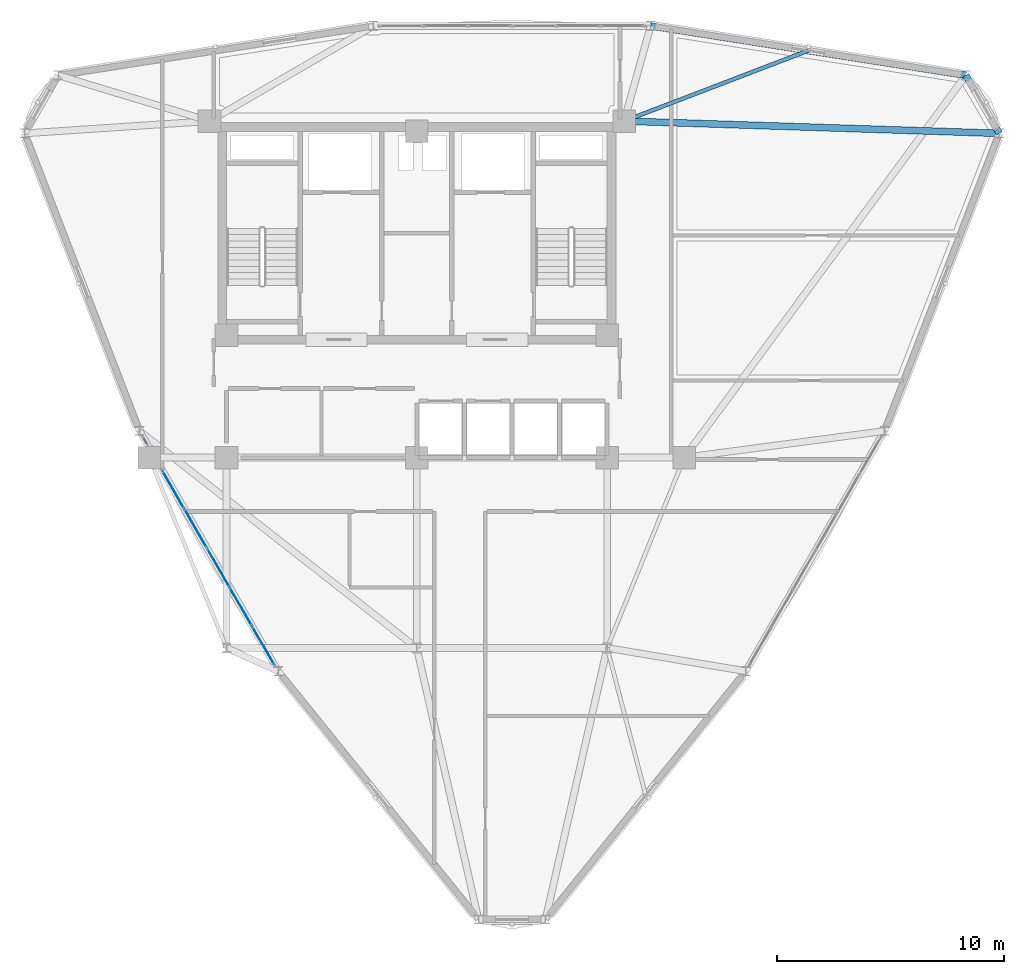
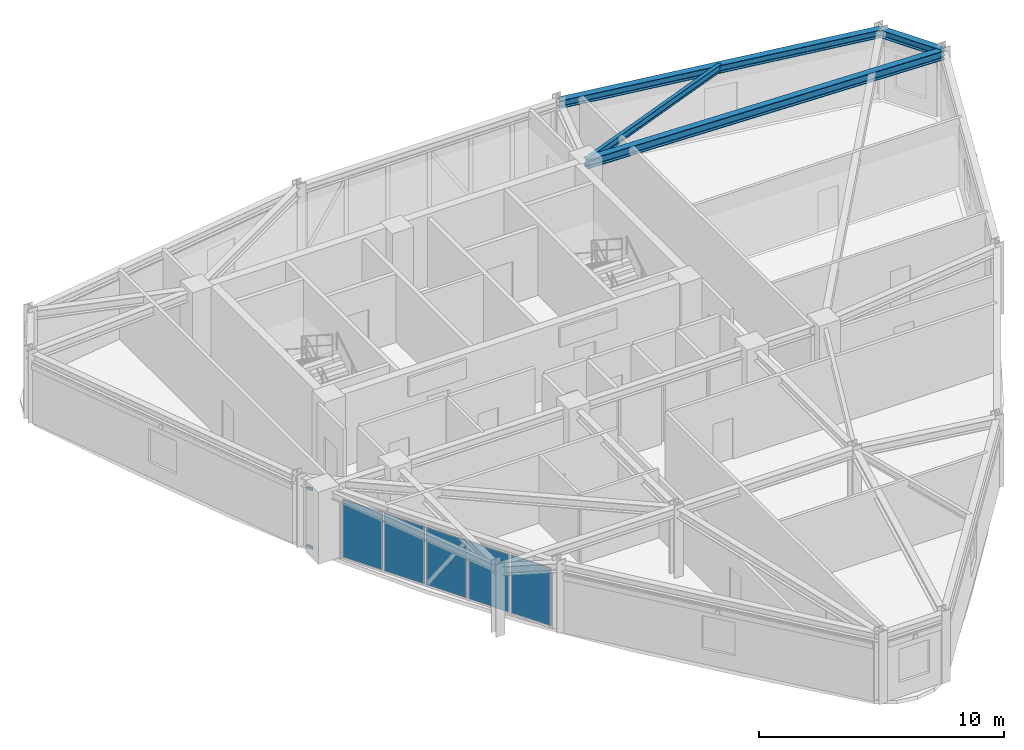
# One storey, part 10 of 16: 5 plates, 4 beams, 2 members, 2 elements without a shape of their own.
"""IFC4 building model written with IfcOpenShell, lengths in metres."""

from ifc_helpers import new_model, si_unit, derived_unit, direction, frame, origin, origin_2d, place, context, subcontext, project, spatial, rectangle, hollow_rectangle, i_section, extrude, source, transform, mapped, material, layer, layer_set, material_profile, profile_set, type_object, element, aggregate, save


model = new_model("IFC4")

# Units and contexts
model_context = context("Model", 3, precision=1e-05, world=origin(), true_north=direction((0.0, 1.0)))
body_context = subcontext(model_context, "Body", "Model", "MODEL_VIEW")
ifc_project = project(units=[si_unit("LENGTHUNIT", "METRE"), si_unit("AREAUNIT", "SQUARE_METRE"), si_unit("VOLUMEUNIT", "CUBIC_METRE"), si_unit("PLANEANGLEUNIT", "RADIAN"), si_unit("MASSUNIT", "GRAM", prefix="KILO"), derived_unit("THERMALTRANSMITTANCEUNIT", [(si_unit("POWERUNIT", "WATT"), 1), (si_unit("LENGTHUNIT", "METRE"), -2), (si_unit("THERMODYNAMICTEMPERATUREUNIT", "KELVIN"), -1)])], contexts=[model_context])

# Site, building, storey
site_placement = place(None, origin())
site = spatial("IfcSite", under=ifc_project, at=site_placement, CompositionType="ELEMENT")
building_placement = place(site_placement, origin())
building = spatial("IfcBuilding", under=site, at=building_placement, Name="Korsvarv Bourse and Concert Hall", CompositionType="ELEMENT")
storey_placement = place(building_placement, frame((0.0, 0.0, 216.60009765625)))
storey = spatial("IfcBuildingStorey", under=building, at=storey_placement, Name="L56", CompositionType="ELEMENT", Elevation=216.60009765625)

# Beams
ifc_material_1 = material(Name="Steel S355", Category="steel")
ifc_material_profile_1 = material_profile(ifc_material_1, i_section(OverallWidth=0.300048828125, OverallDepth=0.389892578125, WebThickness=0.010986328125, FlangeThickness=0.01904296875, FilletRadius=0.02099609375, at=origin_2d()), Name="HEA 400")
ifc_profile_set_1 = profile_set([ifc_material_profile_1], Name="Steel S355")
beam_type_1 = type_object("IfcBeamType", Name="BM-HEA400", PredefinedType="BEAM", material=ifc_profile_set_1)
shared_shape_1 = source(origin(), body_context, "Body", "SweptSolid", [
    extrude(i_section(OverallWidth=0.300048828125, OverallDepth=0.389892578125, WebThickness=0.010986328125, FlangeThickness=0.01904296875, FilletRadius=0.02099609375, at=origin_2d()), origin(), (0.0, 0.0, 1.0), 2.95947265625),
])
beam_1_placement = place(storey_placement, frame((61.70703125, 46.70849609375, 3.21484375), z_axis=(-0.499998569178, 0.866026229868, 0.0), x_axis=(-0.866026229868, -0.499998569178, 0.0)))
element("IfcBeam", 1, at=beam_1_placement, inside=storey, type_object=beam_type_1, Name="L56 beam B-11", PredefinedType="BEAM", context=body_context, shape_type="MappedRepresentation", body=[
    mapped(shared_shape_1, transform((0.0, 0.0, 0.0), scale=1.0)),
])
shared_shape_2 = source(origin(), body_context, "Body", "SweptSolid", [
    extrude(i_section(OverallWidth=0.300048828125, OverallDepth=0.389892578125, WebThickness=0.010986328125, FlangeThickness=0.01904296875, FilletRadius=0.02099609375, at=origin_2d()), origin(), (0.0, 0.0, 1.0), 14.077880859375),
])
beam_2_placement = place(storey_placement, frame((60.227294921875, 49.271484375, 3.21484375), z_axis=(-0.987954433111, 0.154745074545, 0.0), x_axis=(-0.154745074545, -0.987954433111, 0.0)))
element("IfcBeam", 2, at=beam_2_placement, inside=storey, type_object=beam_type_1, Name="L56 beam B-11", PredefinedType="BEAM", context=body_context, shape_type="MappedRepresentation", body=[
    mapped(shared_shape_2, transform((0.0, 0.0, 0.0), scale=1.0)),
])
ifc_material_profile_2 = material_profile(ifc_material_1, i_section(OverallWidth=0.300048828125, OverallDepth=0.449951171875, WebThickness=0.013916015625, FlangeThickness=0.02587890625, FilletRadius=0.02099609375, at=origin_2d()), Name="HEB 450")
ifc_profile_set_2 = profile_set([ifc_material_profile_2], Name="Steel S355")
beam_type_2 = type_object("IfcBeamType", Name="BM-HEB450", PredefinedType="SPANDREL", material=ifc_profile_set_2)
shared_shape_3 = source(origin(), body_context, "Body", "SweptSolid", [
    extrude(i_section(OverallWidth=0.300048828125, OverallDepth=0.449951171875, WebThickness=0.013916015625, FlangeThickness=0.02587890625, FilletRadius=0.02099609375, at=origin_2d()), origin(), (0.0, 0.0, 1.0), 16.56591796875),
])
beam_3_placement = place(storey_placement, frame((61.70703125, 46.70849609375, 3.184814453125), z_axis=(-0.999465614209, 0.032687704331, 0.0), x_axis=(-0.032687704331, -0.999465614209, 0.0)))
element("IfcBeam", 3, at=beam_3_placement, inside=storey, type_object=beam_type_2, Name="L56 beam B-08", PredefinedType="SPANDREL", context=body_context, shape_type="MappedRepresentation", body=[
    mapped(shared_shape_3, transform((0.0, 0.0, 0.0), scale=1.0)),
])
ifc_material_profile_3 = material_profile(ifc_material_1, i_section(OverallWidth=0.169921875, OverallDepth=0.360107421875, WebThickness=0.008056640625, FlangeThickness=0.0126953125, FilletRadius=0.01806640625, at=origin_2d()), Name="IPE 360")
ifc_profile_set_3 = profile_set([ifc_material_profile_3], Name="Steel S355")
beam_type_3 = type_object("IfcBeamType", Name="BM-IPE360", PredefinedType="JOIST", material=ifc_profile_set_3)
shared_shape_4 = source(origin(), body_context, "Body", "SweptSolid", [
    extrude(i_section(OverallWidth=0.169921875, OverallDepth=0.360107421875, WebThickness=0.008056640625, FlangeThickness=0.0126953125, FilletRadius=0.01806640625, at=origin_2d()), origin(), (0.0, 0.0, 1.0), 8.698486328125),
])
beam_4_placement = place(storey_placement, frame((53.273193359375, 50.360595703125, 3.22998046875), z_axis=(-0.933874102733, -0.357601957831, 0.0), x_axis=(0.357601957831, -0.933874102733, 0.0)))
element("IfcBeam", 4, at=beam_4_placement, inside=storey, type_object=beam_type_3, Name="L56 beam J-06", PredefinedType="JOIST", context=body_context, shape_type="MappedRepresentation", body=[
    mapped(shared_shape_4, transform((0.0, 0.0, 0.0), scale=1.0)),
])

# Curtain wall, members
ifc_material_2 = material(Name="Anodised aluminium and triple low-E glazing", Category="glass")
ifc_layer_1 = layer(ifc_material_2, 0.199951171875)
ifc_layer_set_1 = layer_set([ifc_layer_1], Name="Anodised aluminium and triple low-E glazing")
curtain_wall_type = type_object("IfcCurtainWallType", Name="CW-SYS-3", PredefinedType="NOTDEFINED", material=ifc_layer_set_1)
curtain_wall_1_placement = place(storey_placement, origin())
curtain_wall_1 = element("IfcCurtainWall", 5, at=curtain_wall_1_placement, inside=storey, type_object=curtain_wall_type, Name="L56 CW3 curtain wall CW-L56-F07-1", PredefinedType="NOTDEFINED")
ifc_material_3 = material(Name="Extruded aluminium EN AW-6063 T66", Category="aluminium")
ifc_material_profile_4 = material_profile(ifc_material_3, hollow_rectangle(XDim=0.06494140625, YDim=0.139892578125, WallThickness=0.00390625, at=origin_2d()), Name="ALU-T 65x140")
ifc_profile_set_4 = profile_set([ifc_material_profile_4], Name="Extruded aluminium EN AW-6063 T66")
member_type = type_object("IfcMemberType", Name="CWT-140", PredefinedType="USERDEFINED", material=ifc_profile_set_4)
shared_shape_5 = source(origin(), body_context, "Body", "SweptSolid", [
    extrude(hollow_rectangle(XDim=0.06494140625, YDim=0.139892578125, WallThickness=0.00390625, at=origin_2d()), origin(), (0.0, 0.0, 1.0), 0.28271484375),
])
member_1_placement = place(storey_placement, frame((23.944580078125, 33.255615234375, 0.032470703125), z_axis=(0.499946688677, -0.866056180903, 0.0), x_axis=(0.866056180903, 0.499946688677, 0.0)))
member_1 = element("IfcMember", 6, at=member_1_placement, type_object=member_type, Name="CW3 transom 1.1", ObjectType="TRANSOM", PredefinedType="USERDEFINED", context=body_context, shape_type="MappedRepresentation", body=[
    mapped(shared_shape_5, transform((0.0, 0.0, 0.0), scale=1.0)),
])
member_2_placement = place(storey_placement, frame((23.944580078125, 33.255615234375, 2.927490234375), z_axis=(0.499946688677, -0.866056180903, 0.0), x_axis=(0.866056180903, 0.499946688677, 0.0)))
member_2 = element("IfcMember", 7, at=member_2_placement, type_object=member_type, Name="CW3 transom 1.2", ObjectType="TRANSOM", PredefinedType="USERDEFINED", context=body_context, shape_type="MappedRepresentation", body=[
    mapped(shared_shape_5, transform((0.0, 0.0, 0.0), scale=1.0)),
])
aggregate(curtain_wall_1, [member_1, member_2])

# Curtain wall, plates
curtain_wall_2_placement = place(storey_placement, origin())
curtain_wall_2 = element("IfcCurtainWall", 8, at=curtain_wall_2_placement, inside=storey, type_object=curtain_wall_type, Name="L56 CW3 curtain wall CW-L56-F07-2", PredefinedType="NOTDEFINED")
ifc_material_4 = material(Name="Tempered triple insulated low-E architectural glass", Category="glass")
ifc_layer_2 = layer(ifc_material_4, 0.0380859375)
ifc_layer_set_2 = layer_set([ifc_layer_2], Name="Tempered triple insulated low-E architectural glass")
plate_type_1 = type_object("IfcPlateType", Name="CWP-VIS2", PredefinedType="CURTAIN_PANEL", material=ifc_layer_set_2)
shared_shape_6 = source(origin(), body_context, "Body", "SweptSolid", [
    extrude(rectangle(XDim=1.88720703125, YDim=0.0380859375, at=origin_2d()), origin(), (0.0, 0.0, 1.0), 2.889892578125),
])
plate_1_placement = place(storey_placement, frame((25.2568359375, 30.982421875, 0.06494140625), z_axis=(0.0, 0.0, 1.0), x_axis=(0.499995906824, -0.866027766968, 0.0)))
plate_1 = element("IfcPlate", 9, at=plate_1_placement, type_object=plate_type_1, Name="CW3 faceted panel 1.1", PredefinedType="CURTAIN_PANEL", context=body_context, shape_type="MappedRepresentation", body=[
    mapped(shared_shape_6, transform((0.0, 0.0, 0.0), scale=1.0)),
])
plate_2_placement = place(storey_placement, frame((29.2236328125, 24.11181640625, 0.06494140625), z_axis=(0.0, 0.0, 1.0), x_axis=(0.499995906824, -0.866027766968, 0.0)))
plate_2 = element("IfcPlate", 10, at=plate_2_placement, type_object=plate_type_1, Name="CW3 faceted panel 5.1", PredefinedType="CURTAIN_PANEL", context=body_context, shape_type="MappedRepresentation", body=[
    mapped(shared_shape_6, transform((0.0, 0.0, 0.0), scale=1.0)),
])
shared_shape_7 = source(origin(), body_context, "Body", "SweptSolid", [
    extrude(rectangle(XDim=1.922119140625, YDim=0.0380859375, at=origin_2d()), origin(), (0.0, 0.0, 1.0), 2.889892578125),
])
plate_3_placement = place(storey_placement, frame((26.244140625, 29.2724609375, 0.06494140625), z_axis=(0.0, 0.0, 1.0), x_axis=(0.499995906824, -0.866027766968, 0.0)))
plate_3 = element("IfcPlate", 11, at=plate_3_placement, type_object=plate_type_1, Name="CW3 faceted panel 2.1", PredefinedType="CURTAIN_PANEL", context=body_context, shape_type="MappedRepresentation", body=[
    mapped(shared_shape_7, transform((0.0, 0.0, 0.0), scale=1.0)),
])
plate_4_placement = place(storey_placement, frame((28.236328125, 25.82177734375, 0.06494140625), z_axis=(0.0, 0.0, 1.0), x_axis=(0.499995906824, -0.866027766968, 0.0)))
plate_4 = element("IfcPlate", 12, at=plate_4_placement, type_object=plate_type_1, Name="CW3 faceted panel 4.1", PredefinedType="CURTAIN_PANEL", context=body_context, shape_type="MappedRepresentation", body=[
    mapped(shared_shape_7, transform((0.0, 0.0, 0.0), scale=1.0)),
])
ifc_material_5 = material(Name="Insulated spandrel glass", Category="glass")
ifc_layer_3 = layer(ifc_material_5, 0.031982421875)
ifc_layer_set_3 = layer_set([ifc_layer_3], Name="Insulated spandrel glass")
plate_type_2 = type_object("IfcPlateType", Name="CWP-SPD1", PredefinedType="CURTAIN_PANEL", material=ifc_layer_set_3)
shared_shape_8 = source(origin(), body_context, "Body", "SweptSolid", [
    extrude(rectangle(XDim=1.922119140625, YDim=0.031982421875, at=origin_2d()), origin(), (0.0, 0.0, 1.0), 2.889892578125),
])
plate_5_placement = place(storey_placement, frame((27.240234375, 27.547119140625, 0.06494140625), z_axis=(0.0, 0.0, 1.0), x_axis=(0.499995906824, -0.866027766968, 0.0)))
plate_5 = element("IfcPlate", 13, at=plate_5_placement, type_object=plate_type_2, Name="CW3 spandrel shadow-box panel 3.1", PredefinedType="CURTAIN_PANEL", context=body_context, shape_type="MappedRepresentation", body=[
    mapped(shared_shape_8, transform((0.0, 0.0, 0.0), scale=1.0)),
])
aggregate(curtain_wall_2, [plate_1, plate_3, plate_5, plate_4, plate_2])

save(model, "model.ifc")
